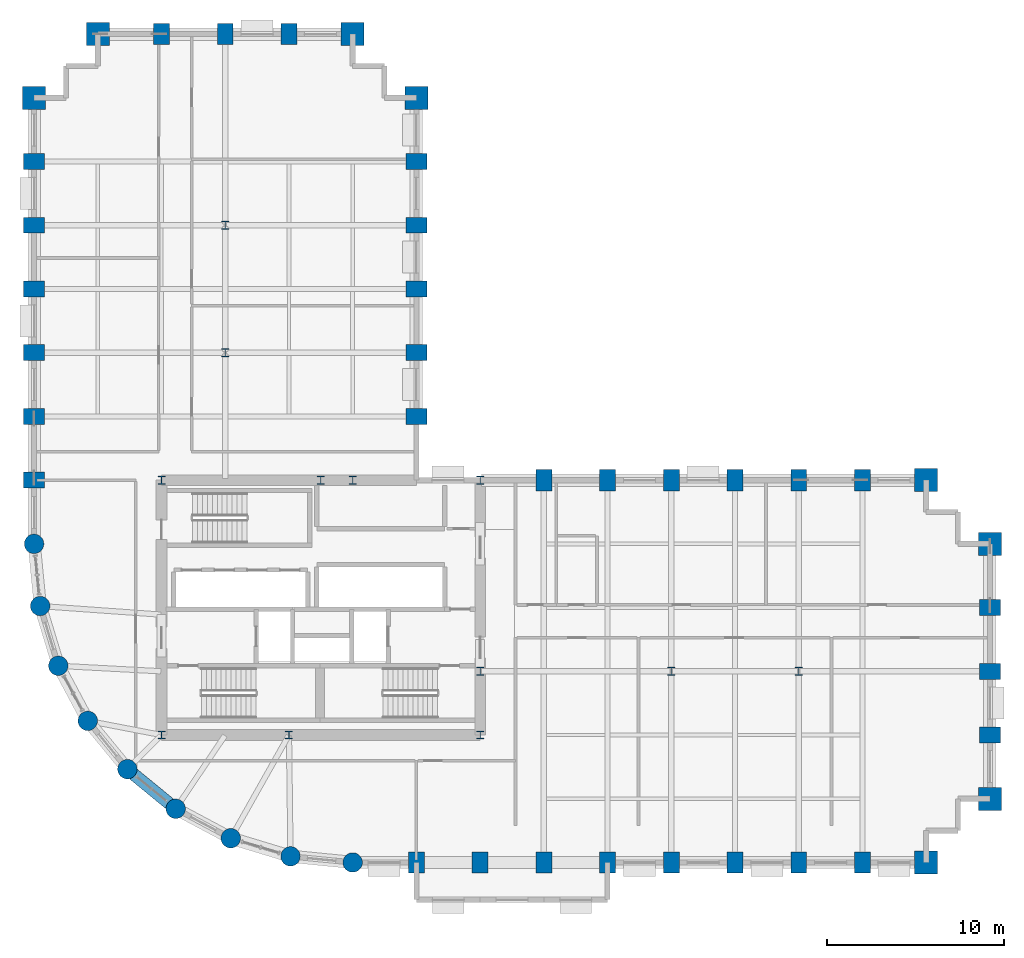
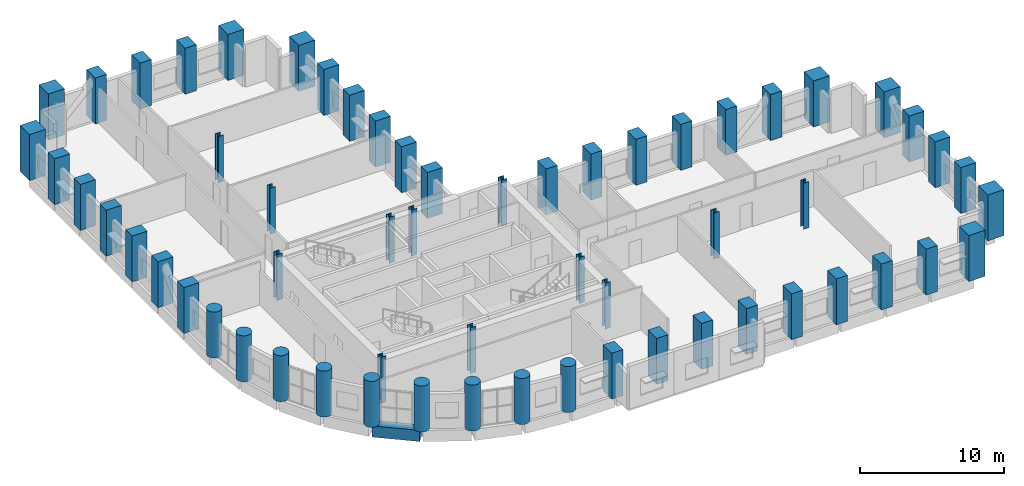
# One storey, part 1 of 14: 60 columns, 1 beam.
"""IFC4 building model written with IfcOpenShell, lengths in metres."""

from ifc_helpers import new_model, si_unit, direction, frame, origin, origin_2d, place, context, subcontext, project, spatial, rectangle, circle, i_section, extrude, material, material_profile, profile_set, type_object, element, save


model = new_model("IFC4")

# Units and contexts
model_context = context("Model", 3, precision=1e-05, world=origin(), true_north=direction((0.0, 1.0)))
body_context = subcontext(model_context, "Body", "Model", "MODEL_VIEW")
ifc_project = project(units=[si_unit("LENGTHUNIT", "METRE"), si_unit("AREAUNIT", "SQUARE_METRE"), si_unit("VOLUMEUNIT", "CUBIC_METRE"), si_unit("PLANEANGLEUNIT", "RADIAN"), si_unit("MASSUNIT", "GRAM", prefix="KILO")], contexts=[model_context])

# Site, building, storey
site_placement = place(None, origin())
site = spatial("IfcSite", under=ifc_project, at=site_placement, CompositionType="ELEMENT")
building_placement = place(site_placement, origin())
building = spatial("IfcBuilding", under=site, at=building_placement, Name="Solnavia Interchange Tower", CompositionType="ELEMENT")
storey_placement = place(building_placement, frame((0.0, 0.0, 63.0)))
storey = spatial("IfcBuildingStorey", under=building, at=storey_placement, Name="L15", CompositionType="ELEMENT", Elevation=63.0)

# Columns
ifc_material_1 = material(Name="Concrete C60/75", Category="concrete")
ifc_material_profile_1 = material_profile(ifc_material_1, rectangle(XDim=0.89990234375, YDim=1.199951171875, at=origin_2d()), Name="RC 1200x900")
ifc_profile_set_1 = profile_set([ifc_material_profile_1], Name="Concrete C60/75")
column_type_1 = type_object("IfcColumnType", Name="Col-RC-1200x900", PredefinedType="COLUMN", material=ifc_profile_set_1)
for number, where, z_axis, x_axis, name in (
    (1, (7.199951171875, 25.199951171875, 0.0), (0.0, 0.0, 1.0), (0.0, 1.0, 0.0), "COL-L15-02 Tower perim y column"),
    (2, (7.199951171875, 28.800048828125, 0.0), (0.0, 0.0, 1.0), (0.0, 1.0, 0.0), "COL-L15-03 Tower perim y column"),
    (3, (7.199951171875, 32.39990234375, 0.0), (0.0, 0.0, 1.0), (0.0, 1.0, 0.0), "COL-L15-04 Tower perim y column"),
    (4, (7.199951171875, 36.0, 0.0), (0.0, 0.0, 1.0), (0.0, 1.0, 0.0), "COL-L15-05 Tower perim y column"),
    (5, (7.199951171875, 39.60009765625, 0.0), (0.0, 0.0, 1.0), (0.0, 1.0, 0.0), "COL-L15-06 Tower perim y column"),
    (6, (7.199951171875, 43.199951171875, 0.0), (0.0, 0.0, 1.0), (0.0, 1.0, 0.0), "COL-L15-07 Tower perim y column"),
    (7, (14.39990234375, 50.39990234375, 0.0), (0.0, 0.0, 1.0), (1.0, 0.0, 0.0), "COL-L15-16 Tower perim x column"),
    (8, (18.0, 50.39990234375, 0.0), (0.0, 0.0, 1.0), (1.0, 0.0, 0.0), "COL-L15-20 Tower perim x column"),
    (9, (21.60009765625, 50.39990234375, 0.0), (0.0, 0.0, 1.0), (1.0, 0.0, 0.0), "COL-L15-23 Tower perim x column"),
    (10, (28.800048828125, 3.60009765625, 0.0), (0.0, 0.0, 1.0), (1.0, 0.0, 0.0), "COL-L15-29 Tower perim x column"),
    (11, (28.800048828125, 28.800048828125, 0.0), (0.0, 0.0, 1.0), (0.0, 1.0, 0.0), "COL-L15-30 Tower perim y column"),
    (12, (28.800048828125, 32.39990234375, 0.0), (0.0, 0.0, 1.0), (0.0, 1.0, 0.0), "COL-L15-31 Tower perim y column"),
    (13, (28.800048828125, 36.0, 0.0), (0.0, 0.0, 1.0), (0.0, 1.0, 0.0), "COL-L15-32 Tower perim y column"),
    (14, (28.800048828125, 39.60009765625, 0.0), (0.0, 0.0, 1.0), (0.0, 1.0, 0.0), "COL-L15-33 Tower perim y column"),
    (15, (28.800048828125, 43.199951171875, 0.0), (0.0, 0.0, 1.0), (0.0, 1.0, 0.0), "COL-L15-34 Tower perim y column"),
    (16, (32.39990234375, 3.60009765625, 0.0), (0.0, 0.0, 1.0), (1.0, 0.0, 0.0), "COL-L15-36 Tower perim x column"),
    (17, (36.0, 3.60009765625, 0.0), (0.0, 0.0, 1.0), (1.0, 0.0, 0.0), "COL-L15-40 Tower perim x column"),
    (18, (36.0, 25.199951171875, 0.0), (0.0, 0.0, 1.0), (1.0, 0.0, 0.0), "COL-L15-41 Tower perim x column"),
    (19, (39.60009765625, 3.60009765625, 0.0), (0.0, 0.0, 1.0), (1.0, 0.0, 0.0), "COL-L15-42 Tower perim x column"),
    (20, (39.60009765625, 25.199951171875, 0.0), (0.0, 0.0, 1.0), (1.0, 0.0, 0.0), "COL-L15-43 Tower perim x column"),
    (21, (43.199951171875, 3.60009765625, 0.0), (0.0, 0.0, 1.0), (1.0, 0.0, 0.0), "COL-L15-44 Tower perim x column"),
    (22, (43.199951171875, 25.199951171875, 0.0), (0.0, 0.0, 1.0), (1.0, 0.0, 0.0), "COL-L15-46 Tower perim x column"),
    (23, (46.800048828125, 3.60009765625, 0.0), (0.0, 0.0, 1.0), (1.0, 0.0, 0.0), "COL-L15-47 Tower perim x column"),
    (24, (46.800048828125, 25.199951171875, 0.0), (0.0, 0.0, 1.0), (1.0, 0.0, 0.0), "COL-L15-48 Tower perim x column"),
    (25, (50.39990234375, 3.60009765625, 0.0), (0.0, 0.0, 1.0), (1.0, 0.0, 0.0), "COL-L15-49 Tower perim x column"),
    (26, (50.39990234375, 25.199951171875, 0.0), (0.0, 0.0, 1.0), (1.0, 0.0, 0.0), "COL-L15-51 Tower perim x column"),
    (27, (54.0, 3.60009765625, 0.0), (0.0, 0.0, 1.0), (1.0, 0.0, 0.0), "COL-L15-52 Tower perim x column"),
    (28, (54.0, 25.199951171875, 0.0), (0.0, 0.0, 1.0), (1.0, 0.0, 0.0), "COL-L15-53 Tower perim x column"),
    (29, (61.199951171875, 10.800048828125, 0.0), (0.0, 0.0, 1.0), (0.0, 1.0, 0.0), "COL-L15-57 Tower perim y column"),
    (30, (61.199951171875, 14.39990234375, 0.0), (0.0, 0.0, 1.0), (0.0, 1.0, 0.0), "COL-L15-58 Tower perim y column"),
    (31, (61.199951171875, 18.0, 0.0), (0.0, 0.0, 1.0), (0.0, 1.0, 0.0), "COL-L15-59 Tower perim y column"),
):
    element("IfcColumn", number, at=place(storey_placement, frame(where, z_axis=z_axis, x_axis=x_axis)), inside=storey, type_object=column_type_1, Name=name, PredefinedType="COLUMN", context=body_context, shape_type="SweptSolid", body=[
        extrude(rectangle(XDim=0.89990234375, YDim=1.199951171875, at=origin_2d()), origin(), (0.0, 0.0, 1.0), 3.89990234375),
    ])
ifc_material_profile_2 = material_profile(ifc_material_1, rectangle(XDim=1.300048828125, YDim=1.300048828125, at=origin_2d()), Name="RC 1300x1300")
ifc_profile_set_2 = profile_set([ifc_material_profile_2], Name="Concrete C60/75")
column_type_2 = type_object("IfcColumnType", Name="Col-RC-1300x1300", PredefinedType="COLUMN", material=ifc_profile_set_2)
for number, where, z_axis, x_axis, name in (
    (32, (7.199951171875, 46.800048828125, 0.0), (0.0, 0.0, 1.0), (0.0, 1.0, 0.0), "COL-L15-08 Tower corner column"),
    (33, (10.800048828125, 50.39990234375, 0.0), (0.0, 0.0, 1.0), (1.0, 0.0, 0.0), "COL-L15-12 Tower corner column"),
    (34, (25.199951171875, 50.39990234375, 0.0), (0.0, 0.0, 1.0), (1.0, 0.0, 0.0), "COL-L15-28 Tower corner column"),
    (35, (28.800048828125, 46.800048828125, 0.0), (0.0, 0.0, 1.0), (0.0, 1.0, 0.0), "COL-L15-35 Tower corner column"),
    (36, (57.60009765625, 3.60009765625, 0.0), (0.0, 0.0, 1.0), (1.0, 0.0, 0.0), "COL-L15-54 Tower corner column"),
    (37, (57.60009765625, 25.199951171875, 0.0), (0.0, 0.0, 1.0), (1.0, 0.0, 0.0), "COL-L15-55 Tower corner column"),
    (38, (61.199951171875, 7.199951171875, 0.0), (0.0, 0.0, 1.0), (1.0, 0.0, 0.0), "COL-L15-56 Tower corner column"),
    (39, (61.199951171875, 21.60009765625, 0.0), (0.0, 0.0, 1.0), (0.0, 1.0, 0.0), "COL-L15-60 Tower corner column"),
):
    element("IfcColumn", number, at=place(storey_placement, frame(where, z_axis=z_axis, x_axis=x_axis)), inside=storey, type_object=column_type_2, Name=name, PredefinedType="COLUMN", context=body_context, shape_type="SweptSolid", body=[
        extrude(rectangle(XDim=1.300048828125, YDim=1.300048828125, at=origin_2d()), origin(), (0.0, 0.0, 1.0), 3.89990234375),
    ])
ifc_material_profile_3 = material_profile(ifc_material_1, circle(Radius=0.550048828125, at=origin_2d()), Name="RC D1100")
ifc_profile_set_3 = profile_set([ifc_material_profile_3], Name="Concrete C60/75")
column_type_3 = type_object("IfcColumnType", Name="Col-RC-D1100", PredefinedType="COLUMN", material=ifc_profile_set_3)
for number, where, z_axis, x_axis, name in (
    (40, (7.199951171875, 21.60009765625, 0.0), (0.0, 0.0, 1.0), (1.0, 0.0, 0.0), "COL-L15-01 Tower drum column"),
    (41, (7.5458984375, 18.087890625, 0.0), (0.0, 0.0, 1.0), (1.0, 0.0, 0.0), "COL-L15-09 Tower drum column"),
    (42, (8.570068359375, 14.7119140625, 0.0), (0.0, 0.0, 1.0), (1.0, 0.0, 0.0), "COL-L15-10 Tower drum column"),
    (43, (10.23388671875, 11.60009765625, 0.0), (0.0, 0.0, 1.0), (1.0, 0.0, 0.0), "COL-L15-11 Tower drum column"),
    (44, (12.471923828125, 8.8720703125, 0.0), (0.0, 0.0, 1.0), (1.0, 0.0, 0.0), "COL-L15-13 Tower drum column"),
    (45, (15.199951171875, 6.634033203125, 0.0), (0.0, 0.0, 1.0), (1.0, 0.0, 0.0), "COL-L15-17 Tower drum column"),
    (46, (18.31201171875, 4.969970703125, 0.0), (0.0, 0.0, 1.0), (1.0, 0.0, 0.0), "COL-L15-21 Tower drum column"),
    (47, (21.68798828125, 3.946044921875, 0.0), (0.0, 0.0, 1.0), (1.0, 0.0, 0.0), "COL-L15-24 Tower drum column"),
    (48, (25.199951171875, 3.60009765625, 0.0), (0.0, 0.0, 1.0), (1.0, 0.0, 0.0), "COL-L15-26 Tower drum column"),
):
    element("IfcColumn", number, at=place(storey_placement, frame(where, z_axis=z_axis, x_axis=x_axis)), inside=storey, type_object=column_type_3, Name=name, PredefinedType="COLUMN", context=body_context, shape_type="SweptSolid", body=[
        extrude(circle(Radius=0.550048828125, at=origin_2d()), origin(), (0.0, 0.0, 1.0), 3.89990234375),
    ])
ifc_material_2 = material(Name="Steel S355", Category="steel")
ifc_material_profile_4 = material_profile(ifc_material_2, i_section(OverallWidth=0.424072265625, OverallDepth=0.467041015625, WebThickness=0.032958984375, FlangeThickness=0.053466796875, FilletRadius=0.014892578125, at=origin_2d()), Name="HD 400x509")
ifc_profile_set_4 = profile_set([ifc_material_profile_4], Name="Steel S355")
column_type_4 = type_object("IfcColumnType", Name="Col-Steel-HD400x509", PredefinedType="COLUMN", material=ifc_profile_set_4)
for number, where, z_axis, x_axis, name in (
    (49, (14.39990234375, 10.800048828125, 0.0), (0.0, 0.0, 1.0), (1.0, 0.0, 0.0), "COL-L15-14 Tower interior column"),
    (50, (14.39990234375, 25.199951171875, 0.0), (0.0, 0.0, 1.0), (1.0, 0.0, 0.0), "COL-L15-15 Tower interior column"),
    (51, (18.0, 32.39990234375, 0.0), (0.0, 0.0, 1.0), (1.0, 0.0, 0.0), "COL-L15-18 Tower interior column"),
    (52, (18.0, 39.60009765625, 0.0), (0.0, 0.0, 1.0), (1.0, 0.0, 0.0), "COL-L15-19 Tower interior column"),
    (53, (21.60009765625, 10.800048828125, 0.0), (0.0, 0.0, 1.0), (1.0, 0.0, 0.0), "COL-L15-22 Tower interior column"),
    (54, (23.39990234375, 25.199951171875, 0.0), (0.0, 0.0, 1.0), (1.0, 0.0, 0.0), "COL-L15-25 Tower interior column"),
    (55, (25.199951171875, 25.199951171875, 0.0), (0.0, 0.0, 1.0), (1.0, 0.0, 0.0), "COL-L15-27 Tower interior column"),
    (56, (32.39990234375, 10.800048828125, 0.0), (0.0, 0.0, 1.0), (1.0, 0.0, 0.0), "COL-L15-37 Tower interior column"),
    (57, (32.39990234375, 14.39990234375, 0.0), (0.0, 0.0, 1.0), (1.0, 0.0, 0.0), "COL-L15-38 Tower interior column"),
    (58, (32.39990234375, 25.199951171875, 0.0), (0.0, 0.0, 1.0), (1.0, 0.0, 0.0), "COL-L15-39 Tower interior column"),
    (59, (43.199951171875, 14.39990234375, 0.0), (0.0, 0.0, 1.0), (1.0, 0.0, 0.0), "COL-L15-45 Tower interior column"),
    (60, (50.39990234375, 14.39990234375, 0.0), (0.0, 0.0, 1.0), (1.0, 0.0, 0.0), "COL-L15-50 Tower interior column"),
):
    element("IfcColumn", number, at=place(storey_placement, frame(where, z_axis=z_axis, x_axis=x_axis)), inside=storey, type_object=column_type_4, Name=name, PredefinedType="COLUMN", context=body_context, shape_type="SweptSolid", body=[
        extrude(i_section(OverallWidth=0.424072265625, OverallDepth=0.467041015625, WebThickness=0.032958984375, FlangeThickness=0.053466796875, FilletRadius=0.014892578125, at=origin_2d()), origin(), (0.0, 0.0, 1.0), 3.89990234375),
    ])

# Beam
ifc_material_3 = material(Name="Concrete C50/60", Category="concrete")
ifc_material_profile_5 = material_profile(ifc_material_3, rectangle(XDim=0.699951171875, YDim=0.949951171875, at=origin_2d()), Name="RC 700x950")
ifc_profile_set_5 = profile_set([ifc_material_profile_5], Name="Concrete C50/60")
beam_type = type_object("IfcBeamType", Name="Beam-Spandrel-RC700x950", PredefinedType="SPANDREL", material=ifc_profile_set_5)
beam_placement = place(storey_placement, frame((12.53369140625, 8.8212890625, -0.47509765625), z_axis=(0.773152644452, -0.634219984214, 0.0), x_axis=(0.634219984214, 0.773152644452, 0.0)))
element("IfcBeam", 61, at=beam_placement, inside=storey, type_object=beam_type, Name="SPB-L15-05 Framed-tube perimeter spandrel beam", PredefinedType="SPANDREL", context=body_context, shape_type="SweptSolid", body=[
    extrude(rectangle(XDim=0.699951171875, YDim=0.949951171875, at=origin_2d()), origin(), (0.0, 0.0, 1.0), 3.36865234375),
])

save(model, "model.ifc")
